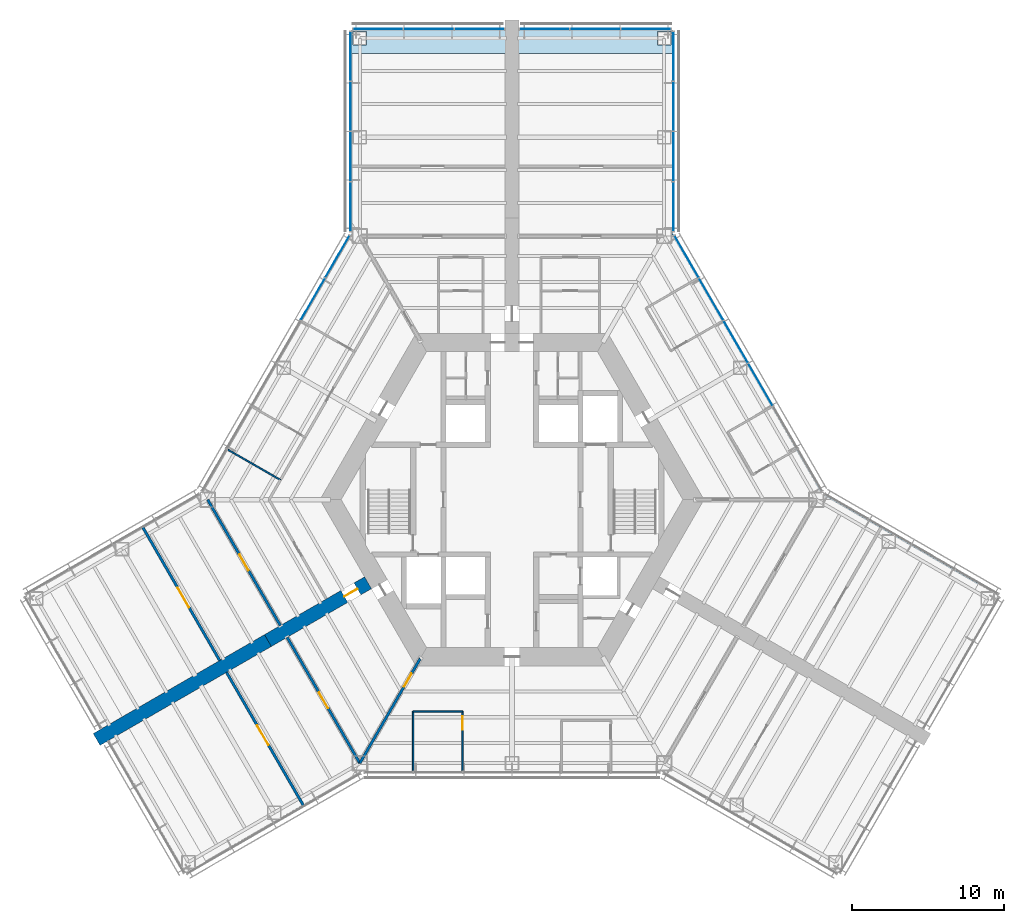
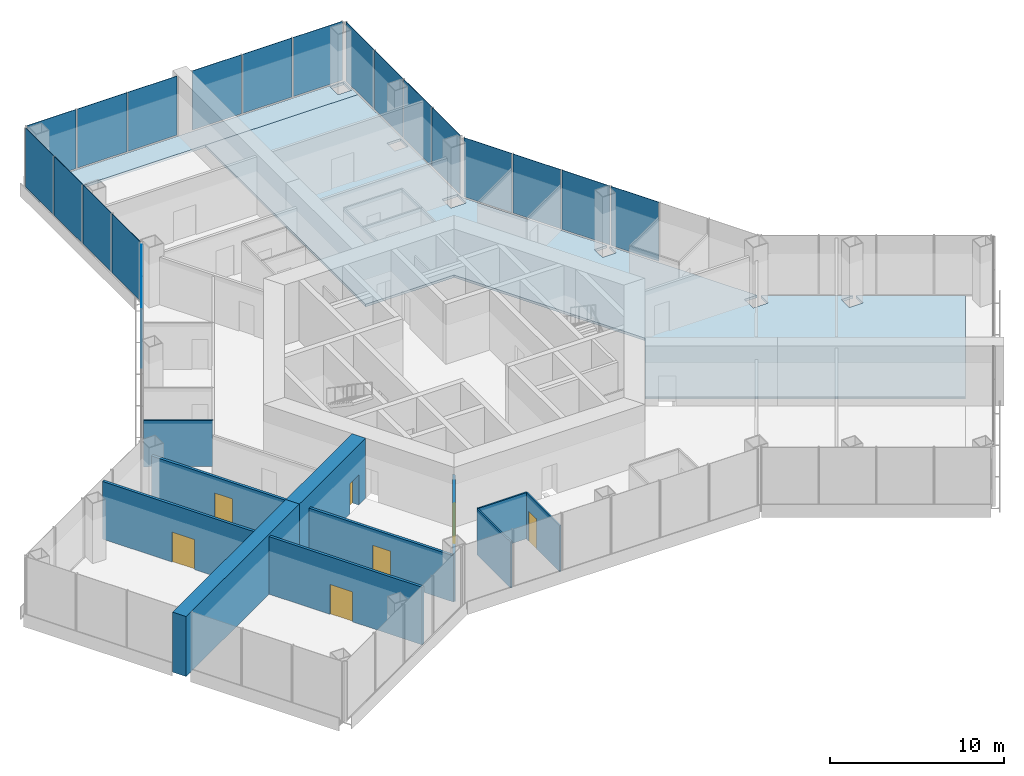
# One storey, part 10 of 17: 20 plates, 11 walls, 7 doors, 2 slabs, 7 openings, 6 elements without a shape of their own.
"""IFC4 building model written with IfcOpenShell, lengths in metres."""

from ifc_helpers import new_model, si_unit, direction, frame, frame_2d, origin, origin_2d, place, context, subcontext, project, spatial, polyline, rectangle, outline, extrude, material, layer, layer_set, type_object, element, fill, aggregate, save


model = new_model("IFC4")

# Units and contexts
model_context = context("Model", 3, precision=1e-05, world=origin(), true_north=direction((0.0, 1.0)))
body_context = subcontext(model_context, "Body", "Model", "MODEL_VIEW")
ifc_project = project(units=[si_unit("LENGTHUNIT", "METRE"), si_unit("AREAUNIT", "SQUARE_METRE"), si_unit("VOLUMEUNIT", "CUBIC_METRE"), si_unit("PLANEANGLEUNIT", "RADIAN"), si_unit("MASSUNIT", "GRAM", prefix="KILO")], contexts=[model_context])

# Site, building, storey
site_placement = place(None, origin())
site = spatial("IfcSite", under=ifc_project, at=site_placement, CompositionType="ELEMENT")
building_placement = place(site_placement, origin())
building = spatial("IfcBuilding", under=site, at=building_placement, Name="Kasaneha Research Tower", CompositionType="ELEMENT")
storey_placement = place(building_placement, frame((0.0, 0.0, 43.60009765625)))
storey = spatial("IfcBuildingStorey", under=building, at=storey_placement, Name="L11", CompositionType="ELEMENT", Elevation=43.60009765625)

# Curtain wall, plates
ifc_material_1 = material(Name="Glass and aluminium", Category="aluminium")
curtain_wall_type = type_object("IfcCurtainWallType", Name="Dry laboratory curtain wall", PredefinedType="USERDEFINED", material=ifc_material_1)
curtain_wall_1_placement = place(storey_placement, origin())
curtain_wall_1 = element("IfcCurtainWall", 1, at=curtain_wall_1_placement, inside=storey, type_object=curtain_wall_type, Name="CW-L2 L11 run 07a", ObjectType="UNITISED CURTAIN WALL", PredefinedType="USERDEFINED")
ifc_material_2 = material(Name="Laminated double glazing", Category="glass")
ifc_layer_1 = layer(ifc_material_2, 0.028076171875)
ifc_layer_set_1 = layer_set([ifc_layer_1], Name="CW-L2 glazed panel")
plate_type = type_object("IfcPlateType", Name="CW-L2 glazed panel", PredefinedType="CURTAIN_PANEL", material=ifc_layer_set_1)
plate_1_placement = place(storey_placement, frame((16.331298828125, 7.554443359375, 0.06494140625), z_axis=(0.0, 0.0, 1.0), x_axis=(-0.49999996188, 0.866025425793, 0.0)))
plate_1 = element("IfcPlate", 2, at=plate_1_placement, type_object=plate_type, Name="CW-L2 panel 3", PredefinedType="CURTAIN_PANEL", context=body_context, shape_type="SweptSolid", body=[
    extrude(rectangle(XDim=3.181396484375, YDim=0.028076171875, at=origin_2d()), origin(), (0.0, 0.0, 1.0), 4.135009765625),
])
plate_2_placement = place(storey_placement, frame((14.7080078125, 10.365966796875, 0.06494140625), z_axis=(0.0, 0.0, 1.0), x_axis=(-0.49999996188, 0.866025425793, 0.0)))
plate_2 = element("IfcPlate", 3, at=plate_2_placement, type_object=plate_type, Name="CW-L2 panel 4", PredefinedType="CURTAIN_PANEL", context=body_context, shape_type="SweptSolid", body=[
    extrude(rectangle(XDim=3.181396484375, YDim=0.028076171875, at=origin_2d()), origin(), (0.0, 0.0, 1.0), 4.135009765625),
])
plate_3_placement = place(storey_placement, frame((13.084716796875, 13.177490234375, 0.06494140625), z_axis=(0.0, 0.0, 1.0), x_axis=(-0.49999996188, 0.866025425793, 0.0)))
plate_3 = element("IfcPlate", 4, at=plate_3_placement, type_object=plate_type, Name="CW-L2 panel 5", PredefinedType="CURTAIN_PANEL", context=body_context, shape_type="SweptSolid", body=[
    extrude(rectangle(XDim=3.181396484375, YDim=0.028076171875, at=origin_2d()), origin(), (0.0, 0.0, 1.0), 4.135009765625),
])
plate_4_placement = place(storey_placement, frame((11.4697265625, 15.974853515625, 0.06494140625), z_axis=(0.0, 0.0, 1.0), x_axis=(-0.49999996188, 0.866025425793, 0.0)))
plate_4 = element("IfcPlate", 5, at=plate_4_placement, type_object=plate_type, Name="CW-L2 panel 6", PredefinedType="CURTAIN_PANEL", context=body_context, shape_type="SweptSolid", body=[
    extrude(rectangle(XDim=3.14892578125, YDim=0.028076171875, at=origin_2d()), origin(), (0.0, 0.0, 1.0), 4.135009765625),
])
aggregate(curtain_wall_1, [plate_1, plate_2, plate_3, plate_4])

curtain_wall_2_placement = place(storey_placement, origin())
curtain_wall_2 = element("IfcCurtainWall", 6, at=curtain_wall_2_placement, inside=storey, type_object=curtain_wall_type, Name="CW-L2 L11 run 08a", ObjectType="UNITISED CURTAIN WALL", PredefinedType="USERDEFINED")
plate_5_placement = place(storey_placement, frame((10.60009765625, 19.25244140625, 0.06494140625), z_axis=(0.0, 0.0, 1.0), x_axis=(0.0, 1.0, 0.0)))
plate_5 = element("IfcPlate", 7, at=plate_5_placement, type_object=plate_type, Name="CW-L2 panel 1", PredefinedType="CURTAIN_PANEL", context=body_context, shape_type="SweptSolid", body=[
    extrude(rectangle(XDim=3.21240234375, YDim=0.028076171875, at=origin_2d()), origin(), (0.0, 0.0, 1.0), 4.135009765625),
])
plate_6_placement = place(storey_placement, frame((10.60009765625, 22.5458984375, 0.06494140625), z_axis=(0.0, 0.0, 1.0), x_axis=(0.0, 1.0, 0.0)))
plate_6 = element("IfcPlate", 8, at=plate_6_placement, type_object=plate_type, Name="CW-L2 panel 2", PredefinedType="CURTAIN_PANEL", context=body_context, shape_type="SweptSolid", body=[
    extrude(rectangle(XDim=3.244873046875, YDim=0.028076171875, at=origin_2d()), origin(), (0.0, 0.0, 1.0), 4.135009765625),
])
plate_7_placement = place(storey_placement, frame((10.60009765625, 25.855712890625, 0.06494140625), z_axis=(0.0, 0.0, 1.0), x_axis=(0.0, 1.0, 0.0)))
plate_7 = element("IfcPlate", 9, at=plate_7_placement, type_object=plate_type, Name="CW-L2 panel 3", PredefinedType="CURTAIN_PANEL", context=body_context, shape_type="SweptSolid", body=[
    extrude(rectangle(XDim=3.244873046875, YDim=0.028076171875, at=origin_2d()), origin(), (0.0, 0.0, 1.0), 4.135009765625),
])
plate_8_placement = place(storey_placement, frame((10.60009765625, 29.1494140625, 0.06494140625), z_axis=(0.0, 0.0, 1.0), x_axis=(0.0, 1.0, 0.0)))
plate_8 = element("IfcPlate", 10, at=plate_8_placement, type_object=plate_type, Name="CW-L2 panel 4", PredefinedType="CURTAIN_PANEL", context=body_context, shape_type="SweptSolid", body=[
    extrude(rectangle(XDim=3.21240234375, YDim=0.028076171875, at=origin_2d()), origin(), (0.0, 0.0, 1.0), 4.135009765625),
])
aggregate(curtain_wall_2, [plate_5, plate_6, plate_7, plate_8])

curtain_wall_3_placement = place(storey_placement, origin())
curtain_wall_3 = element("IfcCurtainWall", 11, at=curtain_wall_3_placement, inside=storey, type_object=curtain_wall_type, Name="CW-L2 L11 run 09a", ObjectType="UNITISED CURTAIN WALL", PredefinedType="USERDEFINED")
plate_9_placement = place(storey_placement, frame((8.808837890625, 30.92041015625, 0.06494140625), z_axis=(0.0, 0.0, 1.0), x_axis=(-1.0, 0.0, 0.0)))
plate_9 = element("IfcPlate", 12, at=plate_9_placement, type_object=plate_type, Name="CW-L2 panel 1", PredefinedType="CURTAIN_PANEL", context=body_context, shape_type="SweptSolid", body=[
    extrude(rectangle(XDim=3.25244140625, YDim=0.028076171875, at=origin_2d()), origin(), (0.0, 0.0, 1.0), 4.135009765625),
])
plate_10_placement = place(storey_placement, frame((5.47509765625, 30.92041015625, 0.06494140625), z_axis=(0.0, 0.0, 1.0), x_axis=(-1.0, 0.0, 0.0)))
plate_10 = element("IfcPlate", 13, at=plate_10_placement, type_object=plate_type, Name="CW-L2 panel 2", PredefinedType="CURTAIN_PANEL", context=body_context, shape_type="SweptSolid", body=[
    extrude(rectangle(XDim=3.284912109375, YDim=0.028076171875, at=origin_2d()), origin(), (0.0, 0.0, 1.0), 4.135009765625),
])
plate_11_placement = place(storey_placement, frame((2.141357421875, 30.92041015625, 0.06494140625), z_axis=(0.0, 0.0, 1.0), x_axis=(-1.0, 0.0, 0.0)))
plate_11 = element("IfcPlate", 14, at=plate_11_placement, type_object=plate_type, Name="CW-L2 panel 3", PredefinedType="CURTAIN_PANEL", context=body_context, shape_type="SweptSolid", body=[
    extrude(rectangle(XDim=3.25244140625, YDim=0.028076171875, at=origin_2d()), origin(), (0.0, 0.0, 1.0), 4.135009765625),
])
aggregate(curtain_wall_3, [plate_9, plate_10, plate_11])

curtain_wall_4_placement = place(storey_placement, origin())
curtain_wall_4 = element("IfcCurtainWall", 15, at=curtain_wall_4_placement, inside=storey, type_object=curtain_wall_type, Name="CW-L2 L11 run 10a", ObjectType="UNITISED CURTAIN WALL", PredefinedType="USERDEFINED")
plate_12_placement = place(storey_placement, frame((-2.141357421875, 30.92041015625, 0.06494140625), z_axis=(0.0, 0.0, 1.0), x_axis=(-1.0, 0.0, 0.0)))
plate_12 = element("IfcPlate", 16, at=plate_12_placement, type_object=plate_type, Name="CW-L2 panel 1", PredefinedType="CURTAIN_PANEL", context=body_context, shape_type="SweptSolid", body=[
    extrude(rectangle(XDim=3.25244140625, YDim=0.028076171875, at=origin_2d()), origin(), (0.0, 0.0, 1.0), 4.135009765625),
])
plate_13_placement = place(storey_placement, frame((-5.47509765625, 30.92041015625, 0.06494140625), z_axis=(0.0, 0.0, 1.0), x_axis=(-1.0, 0.0, 0.0)))
plate_13 = element("IfcPlate", 17, at=plate_13_placement, type_object=plate_type, Name="CW-L2 panel 2", PredefinedType="CURTAIN_PANEL", context=body_context, shape_type="SweptSolid", body=[
    extrude(rectangle(XDim=3.284912109375, YDim=0.028076171875, at=origin_2d()), origin(), (0.0, 0.0, 1.0), 4.135009765625),
])
plate_14_placement = place(storey_placement, frame((-8.808837890625, 30.92041015625, 0.06494140625), z_axis=(0.0, 0.0, 1.0), x_axis=(-1.0, 0.0, 0.0)))
plate_14 = element("IfcPlate", 18, at=plate_14_placement, type_object=plate_type, Name="CW-L2 panel 3", PredefinedType="CURTAIN_PANEL", context=body_context, shape_type="SweptSolid", body=[
    extrude(rectangle(XDim=3.25244140625, YDim=0.028076171875, at=origin_2d()), origin(), (0.0, 0.0, 1.0), 4.135009765625),
])
aggregate(curtain_wall_4, [plate_12, plate_13, plate_14])

curtain_wall_5_placement = place(storey_placement, origin())
curtain_wall_5 = element("IfcCurtainWall", 19, at=curtain_wall_5_placement, inside=storey, type_object=curtain_wall_type, Name="CW-L2 L11 run 11a", ObjectType="UNITISED CURTAIN WALL", PredefinedType="USERDEFINED")
plate_15_placement = place(storey_placement, frame((-10.60009765625, 29.1494140625, 0.06494140625), z_axis=(0.0, 0.0, 1.0), x_axis=(0.0, -1.0, 0.0)))
plate_15 = element("IfcPlate", 20, at=plate_15_placement, type_object=plate_type, Name="CW-L2 panel 1", PredefinedType="CURTAIN_PANEL", context=body_context, shape_type="SweptSolid", body=[
    extrude(rectangle(XDim=3.21240234375, YDim=0.028076171875, at=origin_2d()), origin(), (0.0, 0.0, 1.0), 4.135009765625),
])
plate_16_placement = place(storey_placement, frame((-10.60009765625, 25.855712890625, 0.06494140625), z_axis=(0.0, 0.0, 1.0), x_axis=(0.0, -1.0, 0.0)))
plate_16 = element("IfcPlate", 21, at=plate_16_placement, type_object=plate_type, Name="CW-L2 panel 2", PredefinedType="CURTAIN_PANEL", context=body_context, shape_type="SweptSolid", body=[
    extrude(rectangle(XDim=3.244873046875, YDim=0.028076171875, at=origin_2d()), origin(), (0.0, 0.0, 1.0), 4.135009765625),
])
plate_17_placement = place(storey_placement, frame((-10.60009765625, 22.5458984375, 0.06494140625), z_axis=(0.0, 0.0, 1.0), x_axis=(0.0, -1.0, 0.0)))
plate_17 = element("IfcPlate", 22, at=plate_17_placement, type_object=plate_type, Name="CW-L2 panel 3", PredefinedType="CURTAIN_PANEL", context=body_context, shape_type="SweptSolid", body=[
    extrude(rectangle(XDim=3.244873046875, YDim=0.028076171875, at=origin_2d()), origin(), (0.0, 0.0, 1.0), 4.135009765625),
])
plate_18_placement = place(storey_placement, frame((-10.60009765625, 19.25244140625, 0.06494140625), z_axis=(0.0, 0.0, 1.0), x_axis=(0.0, -1.0, 0.0)))
plate_18 = element("IfcPlate", 23, at=plate_18_placement, type_object=plate_type, Name="CW-L2 panel 4", PredefinedType="CURTAIN_PANEL", context=body_context, shape_type="SweptSolid", body=[
    extrude(rectangle(XDim=3.21240234375, YDim=0.028076171875, at=origin_2d()), origin(), (0.0, 0.0, 1.0), 4.135009765625),
])
aggregate(curtain_wall_5, [plate_15, plate_16, plate_17, plate_18])

curtain_wall_6_placement = place(storey_placement, origin())
curtain_wall_6 = element("IfcCurtainWall", 24, at=curtain_wall_6_placement, inside=storey, type_object=curtain_wall_type, Name="CW-L2 L11 run 12a", ObjectType="UNITISED CURTAIN WALL", PredefinedType="USERDEFINED")
plate_19_placement = place(storey_placement, frame((-11.4697265625, 15.974853515625, 0.06494140625), z_axis=(0.0, 0.0, 1.0), x_axis=(-0.49999996188, -0.866025425793, 0.0)))
plate_19 = element("IfcPlate", 25, at=plate_19_placement, type_object=plate_type, Name="CW-L2 panel 1", PredefinedType="CURTAIN_PANEL", context=body_context, shape_type="SweptSolid", body=[
    extrude(rectangle(XDim=3.14892578125, YDim=0.028076171875, at=origin_2d()), origin(), (0.0, 0.0, 1.0), 4.135009765625),
])
plate_20_placement = place(storey_placement, frame((-13.084716796875, 13.177490234375, 0.06494140625), z_axis=(0.0, 0.0, 1.0), x_axis=(-0.49999996188, -0.866025425793, 0.0)))
plate_20 = element("IfcPlate", 26, at=plate_20_placement, type_object=plate_type, Name="CW-L2 panel 2", PredefinedType="CURTAIN_PANEL", context=body_context, shape_type="SweptSolid", body=[
    extrude(rectangle(XDim=3.181396484375, YDim=0.028076171875, at=origin_2d()), origin(), (0.0, 0.0, 1.0), 4.135009765625),
])
aggregate(curtain_wall_6, [plate_19, plate_20])

# Slabs
ifc_material_3 = material(Name="Concrete Fc24", Category="concrete")
ifc_layer_2 = layer(ifc_material_3, 0.169921875)
ifc_layer_set_2 = layer_set([ifc_layer_2], Name="Floor slab 170")
slab_type = type_object("IfcSlabType", Name="Floor slab 170", PredefinedType="FLOOR", material=ifc_layer_set_2)
slab_1_placement = place(storey_placement, frame((0.0, 0.0, -0.170166015625)))
element("IfcSlab", 27, at=slab_1_placement, inside=storey, type_object=slab_type, Name="Floor slab L11 3", PredefinedType="FLOOR", context=body_context, shape_type="SweptSolid", body=[
    extrude(outline(polyline([(10.550048828125, 29.310546875), (0.449951171875, 29.310546875), (0.449951171875, 29.320556640625), (-0.449951171875, 29.320556640625), (-0.449951171875, 29.310546875), (-10.550048828125, 29.310546875), (-10.550048828125, 30.87060546875), (10.550048828125, 30.87060546875), (10.550048828125, 29.310546875)]), holes=[polyline([(-9.550048828125, 29.87060546875), (-9.550048828125, 30.7705078125), (-10.449951171875, 30.7705078125), (-10.449951171875, 29.87060546875), (-9.550048828125, 29.87060546875)]), polyline([(9.550048828125, 29.87060546875), (10.449951171875, 29.87060546875), (10.449951171875, 30.7705078125), (9.550048828125, 30.7705078125), (9.550048828125, 29.87060546875)])]), origin(), (0.0, 0.0, 1.0), 0.170166015625),
])
slab_2_placement = place(storey_placement, frame((0.0, 0.0, -0.170166015625)))
element("IfcSlab", 28, at=slab_2_placement, inside=storey, type_object=slab_type, Name="Floor slab L11 5", PredefinedType="FLOOR", context=body_context, shape_type="SweptSolid", body=[
    extrude(outline(polyline([(9.686279296875, -5.07275390625), (12.614990234375, 0.0), (6.3076171875, 10.925048828125), (0.449951171875, 10.925048828125), (0.449951171875, 29.310546875), (10.550048828125, 29.310546875), (10.550048828125, 17.4677734375), (15.375244140625, 9.1103515625), (14.550048828125, 9.1103515625), (14.550048828125, 8.210205078125), (15.449951171875, 8.210205078125), (15.449951171875, 8.980712890625), (20.346435546875, 0.5), (19.5, 0.5), (19.5, -0.5), (20.5, -0.5), (20.5, 0.346435546875), (25.083740234375, -2.300048828125), (24.313232421875, -2.300048828125), (24.313232421875, -3.199951171875), (25.213134765625, -3.199951171875), (25.213134765625, -2.374755859375), (30.65869140625, -5.518798828125), (25.608642578125, -14.265625), (9.686279296875, -5.07275390625)]), holes=[polyline([(9.5, 16.820556640625), (10.5, 16.820556640625), (10.5, 17.820556640625), (9.5, 17.820556640625), (9.5, 16.820556640625)]), polyline([(9.550048828125, 23.37060546875), (10.449951171875, 23.37060546875), (10.449951171875, 24.2705078125), (9.550048828125, 24.2705078125), (9.550048828125, 23.37060546875)])]), origin(), (0.0, 0.0, 1.0), 0.170166015625),
])

# Wall, opening, door
ifc_material_4 = material(Name="Gypsum board on steel studs, two layers each side", Category="steel")
ifc_layer_3 = layer(ifc_material_4, 0.175048828125)
ifc_layer_set_3 = layer_set([ifc_layer_3], Name="Laboratory fire partition 175")
wall_type_1 = type_object("IfcWallType", Name="Laboratory fire partition 175", PredefinedType="PARTITIONING", material=ifc_layer_set_3)
wall_1_placement = place(storey_placement, frame((-15.22509765625, -8.2705078125, 0.0), z_axis=(0.0, 0.0, 1.0), x_axis=(-0.499993908199, 0.866028920859, 0.0)))
wall_1 = element("IfcWall", 29, at=wall_1_placement, inside=storey, type_object=wall_type_1, Name="Laboratory fire partition LABB-N L11", PredefinedType="PARTITIONING", context=body_context, shape_type="SweptSolid", body=[
    extrude(rectangle(XDim=9.5498046875, YDim=0.175048828125, at=frame_2d((4.77490234375, 0.0))), origin(), (0.0, 0.0, 1.0), 3.23779296875),
])
opening_1_placement = place(wall_1_placement, frame((4.175048828125, 0.0, 0.0)))
opening_1 = element("IfcOpeningElement", 30, at=opening_1_placement, cuts=wall_1, Name="Opening L11-D38", PredefinedType="OPENING", context=body_context, shape_type="SweptSolid", body=[
    extrude(rectangle(XDim=1.199951171875, YDim=2.10009765625, at=frame_2d((0.60009765625, 1.050048828125))), frame((0.0, 0.09765625, 0.0), z_axis=(0.0, -1.0, 0.0), x_axis=(1.0, 0.0, 0.0)), (0.0, 0.0, 1.0), 0.195068359375),
])
ifc_material_5 = material(Name="Steel", Category="steel")
door_type_1 = type_object("IfcDoorType", Name="Laboratory door FD60 1200x2100", OperationType="DOUBLE_DOOR_SINGLE_SWING", PredefinedType="DOOR", material=ifc_material_5)
door_1_placement = place(opening_1_placement, origin())
door_1 = element("IfcDoor", 31, at=door_1_placement, inside=storey, type_object=door_type_1, Name="Laboratory door L11-D38", OperationType="DOUBLE_DOOR_SINGLE_SWING", OverallHeight=2.10009765625, OverallWidth=1.199951171875, PredefinedType="DOOR", context=body_context, shape_type="SweptSolid", body=[
    extrude(rectangle(XDim=1.199951171875, YDim=2.10009765625, at=frame_2d((0.60009765625, 1.050048828125))), frame((0.0, 0.02490234375, 0.0), z_axis=(0.0, -1.0, 0.0), x_axis=(1.0, 0.0, 0.0)), (0.0, 0.0, 1.0), 0.050048828125),
])
fill(opening_1, door_1)

wall_2_placement = place(storey_placement, frame((-19.208740234375, -10.570556640625, 0.0), z_axis=(0.0, 0.0, 1.0), x_axis=(-0.500005203629, 0.866022399447, 0.0)))
wall_2 = element("IfcWall", 32, at=wall_2_placement, inside=storey, type_object=wall_type_1, Name="Laboratory fire partition INSB-N L11", PredefinedType="PARTITIONING", context=body_context, shape_type="SweptSolid", body=[
    extrude(rectangle(XDim=10.14013671875, YDim=0.175048828125, at=frame_2d((5.070068359375, 0.0))), origin(), (0.0, 0.0, 1.0), 4.02978515625),
])
opening_2_placement = place(wall_2_placement, frame((4.02490234375, 0.0, 0.0)))
opening_2 = element("IfcOpeningElement", 33, at=opening_2_placement, cuts=wall_2, Name="Opening L11-D43", PredefinedType="OPENING", context=body_context, shape_type="SweptSolid", body=[
    extrude(rectangle(XDim=1.5, YDim=2.10009765625, at=frame_2d((0.75, 1.050048828125))), frame((0.0, 0.09765625, 0.0), z_axis=(0.0, -1.0, 0.0), x_axis=(1.0, 0.0, 0.0)), (0.0, 0.0, 1.0), 0.195068359375),
])
ifc_material_6 = material(Name="Steel", Category="steel")
door_type_2 = type_object("IfcDoorType", Name="Laboratory door FD60 1500x2100", OperationType="DOUBLE_DOOR_SINGLE_SWING", PredefinedType="DOOR", material=ifc_material_6)
door_2_placement = place(opening_2_placement, origin())
door_2 = element("IfcDoor", 34, at=door_2_placement, inside=storey, type_object=door_type_2, Name="Instrument room door L11-D43", OperationType="DOUBLE_DOOR_SINGLE_SWING", OverallHeight=2.10009765625, OverallWidth=1.5, PredefinedType="DOOR", context=body_context, shape_type="SweptSolid", body=[
    extrude(rectangle(XDim=1.5, YDim=2.10009765625, at=frame_2d((0.75, 1.050048828125))), frame((0.0, 0.02490234375, 0.0), z_axis=(0.0, -1.0, 0.0), x_axis=(1.0, 0.0, 0.0)), (0.0, 0.0, 1.0), 0.050048828125),
])
fill(opening_2, door_2)

wall_3_placement = place(storey_placement, frame((-14.77490234375, -9.050048828125, 0.0), z_axis=(0.0, 0.0, 1.0), x_axis=(0.499993908199, -0.866028920859, 0.0)))
wall_3 = element("IfcWall", 35, at=wall_3_placement, inside=storey, type_object=wall_type_1, Name="Laboratory fire partition LABB-S L11", PredefinedType="PARTITIONING", context=body_context, shape_type="SweptSolid", body=[
    extrude(rectangle(XDim=9.5498046875, YDim=0.175048828125, at=frame_2d((4.77490234375, 0.0))), origin(), (0.0, 0.0, 1.0), 3.23779296875),
])
opening_3_placement = place(wall_3_placement, frame((4.175048828125, 0.0, 0.0)))
opening_3 = element("IfcOpeningElement", 36, at=opening_3_placement, cuts=wall_3, Name="Opening L11-D44", PredefinedType="OPENING", context=body_context, shape_type="SweptSolid", body=[
    extrude(rectangle(XDim=1.199951171875, YDim=2.10009765625, at=frame_2d((0.60009765625, 1.050048828125))), frame((0.0, 0.09765625, 0.0), z_axis=(0.0, -1.0, 0.0), x_axis=(1.0, 0.0, 0.0)), (0.0, 0.0, 1.0), 0.195068359375),
])
door_3_placement = place(opening_3_placement, origin())
door_3 = element("IfcDoor", 37, at=door_3_placement, inside=storey, type_object=door_type_1, Name="Laboratory door L11-D44", OperationType="DOUBLE_DOOR_SINGLE_SWING", OverallHeight=2.10009765625, OverallWidth=1.199951171875, PredefinedType="DOOR", context=body_context, shape_type="SweptSolid", body=[
    extrude(rectangle(XDim=1.199951171875, YDim=2.10009765625, at=frame_2d((0.60009765625, 1.050048828125))), frame((0.0, 0.02490234375, 0.0), z_axis=(0.0, -1.0, 0.0), x_axis=(1.0, 0.0, 0.0)), (0.0, 0.0, 1.0), 0.050048828125),
])
fill(opening_3, door_3)

wall_4_placement = place(storey_placement, frame((-18.7587890625, -11.349853515625, 0.0), z_axis=(0.0, 0.0, 1.0), x_axis=(0.500005203629, -0.866022399447, 0.0)))
wall_4 = element("IfcWall", 38, at=wall_4_placement, inside=storey, type_object=wall_type_1, Name="Laboratory fire partition INSB-S L11", PredefinedType="PARTITIONING", context=body_context, shape_type="SweptSolid", body=[
    extrude(rectangle(XDim=10.14013671875, YDim=0.175048828125, at=frame_2d((5.070068359375, 0.0))), origin(), (0.0, 0.0, 1.0), 4.02978515625),
])
opening_4_placement = place(wall_4_placement, frame((4.02490234375, 0.0, 0.0)))
opening_4 = element("IfcOpeningElement", 39, at=opening_4_placement, cuts=wall_4, Name="Opening L11-D45", PredefinedType="OPENING", context=body_context, shape_type="SweptSolid", body=[
    extrude(rectangle(XDim=1.5, YDim=2.10009765625, at=frame_2d((0.75, 1.050048828125))), frame((0.0, 0.09765625, 0.0), z_axis=(0.0, -1.0, 0.0), x_axis=(1.0, 0.0, 0.0)), (0.0, 0.0, 1.0), 0.195068359375),
])
door_4_placement = place(opening_4_placement, origin())
door_4 = element("IfcDoor", 40, at=door_4_placement, inside=storey, type_object=door_type_2, Name="Instrument room door L11-D45", OperationType="DOUBLE_DOOR_SINGLE_SWING", OverallHeight=2.10009765625, OverallWidth=1.5, PredefinedType="DOOR", context=body_context, shape_type="SweptSolid", body=[
    extrude(rectangle(XDim=1.5, YDim=2.10009765625, at=frame_2d((0.75, 1.050048828125))), frame((0.0, 0.02490234375, 0.0), z_axis=(0.0, -1.0, 0.0), x_axis=(1.0, 0.0, 0.0)), (0.0, 0.0, 1.0), 0.050048828125),
])
fill(opening_4, door_4)

# Walls
ifc_material_7 = material(Name="Gypsum board on steel studs, one layer each side", Category="steel")
ifc_layer_4 = layer(ifc_material_7, 0.10009765625)
ifc_layer_set_4 = layer_set([ifc_layer_4], Name="Office partition 100")
wall_type_2 = type_object("IfcWallType", Name="Office partition 100", PredefinedType="PARTITIONING", material=ifc_layer_set_4)
wall_5_placement = place(storey_placement, frame((-15.217041015625, 1.29345703125, 0.0), z_axis=(0.0, 0.0, 1.0), x_axis=(-0.866583023507, 0.499032928142, 0.0)))
element("IfcWall", 41, at=wall_5_placement, inside=storey, type_object=wall_type_2, Name="Office partition FBN07 L11", PredefinedType="PARTITIONING", context=body_context, shape_type="SweptSolid", body=[
    extrude(rectangle(XDim=3.975341796875, YDim=0.10009765625, at=frame_2d((1.98779296875, 0.0))), origin(), (0.0, 0.0, 1.0), 3.22998046875),
])
wall_6_placement = place(storey_placement, frame((-6.492919921875, -17.800537109375, 0.0), z_axis=(0.0, 0.0, 1.0), x_axis=(0.0, 1.0, 0.0)))
element("IfcWall", 42, at=wall_6_placement, inside=storey, type_object=wall_type_2, Name="Office partition FCS01 L11", PredefinedType="PARTITIONING", context=body_context, shape_type="SweptSolid", body=[
    extrude(rectangle(XDim=3.880126953125, YDim=0.10009765625, at=frame_2d((1.93994140625, 0.0))), origin(), (0.0, 0.0, 1.0), 3.22998046875),
])
wall_7_placement = place(storey_placement, frame((-6.492919921875, -13.92041015625, 0.0), z_axis=(0.0, 0.0, 1.0), x_axis=(1.0, 0.0, 0.0)))
element("IfcWall", 43, at=wall_7_placement, inside=storey, type_object=wall_type_2, Name="Office partition FCS02 L11", PredefinedType="PARTITIONING", context=body_context, shape_type="SweptSolid", body=[
    extrude(rectangle(XDim=3.24658203125, YDim=0.10009765625, at=frame_2d((1.623291015625, 0.0))), origin(), (0.0, 0.0, 1.0), 3.22998046875),
])

# Wall, opening, door
wall_8_placement = place(storey_placement, frame((-3.246337890625, -13.92041015625, 0.0), z_axis=(0.0, 0.0, 1.0), x_axis=(0.0, -1.0, 0.0)))
wall_8 = element("IfcWall", 44, at=wall_8_placement, inside=storey, type_object=wall_type_2, Name="Office partition FCS03 L11", PredefinedType="PARTITIONING", context=body_context, shape_type="SweptSolid", body=[
    extrude(rectangle(XDim=3.880126953125, YDim=0.10009765625, at=frame_2d((1.93994140625, 0.0))), origin(), (0.0, 0.0, 1.0), 3.22998046875),
])
opening_5_placement = place(wall_8_placement, frame((0.300048828125, 0.0, 0.0)))
opening_5 = element("IfcOpeningElement", 45, at=opening_5_placement, cuts=wall_8, Name="Opening L11-D49", PredefinedType="OPENING", context=body_context, shape_type="SweptSolid", body=[
    extrude(rectangle(XDim=0.89990234375, YDim=2.10009765625, at=frame_2d((0.449951171875, 1.050048828125))), frame((0.0, 0.06005859375, 0.0), z_axis=(0.0, -1.0, 0.0), x_axis=(1.0, 0.0, 0.0)), (0.0, 0.0, 1.0), 0.1201171875),
])
ifc_material_8 = material(Name="Timber veneer", Category="wood")
door_type_3 = type_object("IfcDoorType", Name="Office door 900x2100", OperationType="SINGLE_SWING_LEFT", PredefinedType="DOOR", material=ifc_material_8)
door_5_placement = place(opening_5_placement, origin())
door_5 = element("IfcDoor", 46, at=door_5_placement, inside=storey, type_object=door_type_3, Name="Microscopy room door L11-D49", OperationType="SINGLE_SWING_LEFT", OverallHeight=2.10009765625, OverallWidth=0.89990234375, PredefinedType="DOOR", context=body_context, shape_type="SweptSolid", body=[
    extrude(rectangle(XDim=0.89990234375, YDim=2.10009765625, at=frame_2d((0.449951171875, 1.050048828125))), frame((0.0, 0.02490234375, 0.0), z_axis=(0.0, -1.0, 0.0), x_axis=(1.0, 0.0, 0.0)), (0.0, 0.0, 1.0), 0.050048828125),
])
fill(opening_5, door_5)

ifc_material_9 = material(Name="Concrete Fc100", Category="concrete")
ifc_layer_5 = layer(ifc_material_9, 0.89990234375)
ifc_layer_set_5 = layer_set([ifc_layer_5], Name="Spine wall 900 Fc100")
wall_type_3 = type_object("IfcWallType", Name="Spine wall 900 Fc100", PredefinedType="SHEAR", material=ifc_layer_set_5)
wall_9_placement = place(storey_placement, frame((-9.46142578125, -5.46240234375, 0.0), z_axis=(0.0, 0.0, 1.0), x_axis=(-0.866019116917, -0.500010889016, 0.0)))
wall_9 = element("IfcWall", 47, at=wall_9_placement, inside=storey, type_object=wall_type_3, Name="Spine wall B L11", PredefinedType="SHEAR", context=body_context, shape_type="SweptSolid", body=[
    extrude(rectangle(XDim=7.595458984375, YDim=0.89990234375, at=frame_2d((3.7978515625, 0.0))), origin(), (0.0, 0.0, 1.0), 4.199951171875),
])
opening_6_placement = place(wall_9_placement, frame((0.800048828125, 0.0, 0.0)))
opening_6 = element("IfcOpeningElement", 48, at=opening_6_placement, cuts=wall_9, Name="Opening L11-D18", PredefinedType="OPENING", context=body_context, shape_type="SweptSolid", body=[
    extrude(rectangle(XDim=1.0, YDim=2.10009765625, at=frame_2d((0.5, 1.050048828125))), frame((0.0, 0.4599609375, 0.0), z_axis=(0.0, -1.0, 0.0), x_axis=(1.0, 0.0, 0.0)), (0.0, 0.0, 1.0), 0.919921875),
])
ifc_material_10 = material(Name="Steel", Category="steel")
door_type_4 = type_object("IfcDoorType", Name="Specified fire door FD60 1000x2100", OperationType="NOTDEFINED", PredefinedType="DOOR", material=ifc_material_10)
door_6_placement = place(opening_6_placement, origin())
door_6 = element("IfcDoor", 49, at=door_6_placement, inside=storey, type_object=door_type_4, Name="Spine doorway B L11-D18", OperationType="SINGLE_SWING_LEFT", OverallHeight=2.10009765625, OverallWidth=1.0, PredefinedType="DOOR", context=body_context, shape_type="SweptSolid", body=[
    extrude(rectangle(XDim=1.0, YDim=2.10009765625, at=frame_2d((0.5, 1.050048828125))), frame((0.0, 0.02490234375, 0.0), z_axis=(0.0, -1.0, 0.0), x_axis=(1.0, 0.0, 0.0)), (0.0, 0.0, 1.0), 0.050048828125),
])
fill(opening_6, door_6)

# Wall
wall_10_placement = place(storey_placement, frame((-16.039306640625, -9.26025390625, 0.0), z_axis=(0.0, 0.0, 1.0), x_axis=(-0.866024837091, -0.50000098154, 0.0)))
element("IfcWall", 50, at=wall_10_placement, inside=storey, type_object=wall_type_3, Name="Spine wall B wing L11", PredefinedType="SHEAR", context=body_context, shape_type="SweptSolid", body=[
    extrude(rectangle(XDim=13.0, YDim=0.89990234375, at=frame_2d((6.5, 0.0))), origin(), (0.0, 0.0, 1.0), 4.199951171875),
])

# Wall, opening, door
ifc_material_11 = material(Name="Gypsum board on steel studs, two layers each side", Category="steel")
ifc_layer_6 = layer(ifc_material_11, 0.175048828125)
ifc_layer_set_6 = layer_set([ifc_layer_6], Name="Tenancy fire partition 175")
wall_type_4 = type_object("IfcWallType", Name="Tenancy fire partition 175", PredefinedType="PARTITIONING", material=ifc_layer_set_6)
wall_11_placement = place(storey_placement, frame((-6.03515625, -10.453125, 0.0), z_axis=(0.0, 0.0, 1.0), x_axis=(-0.499993402427, -0.866029212861, 0.0)))
wall_11 = element("IfcWall", 51, at=wall_11_placement, inside=storey, type_object=wall_type_4, Name="Tenancy fire partition T240 L11", PredefinedType="PARTITIONING", context=body_context, shape_type="SweptSolid", body=[
    extrude(outline(polyline([(-0.050537109375, -0.08740234375), (1.12939453125, -0.08740234375), (2.12939453125, -0.08740234375), (7.9296875, -0.08740234375), (7.9296875, 0.08740234375), (2.12939453125, 0.08740234375), (1.12939453125, 0.08740234375), (0.050537109375, 0.08740234375), (-0.050537109375, -0.08740234375)])), origin(), (0.0, 0.0, 1.0), 3.329833984375),
])
opening_7_placement = place(wall_11_placement, frame((1.12939453125, 0.0, 0.0)))
opening_7 = element("IfcOpeningElement", 52, at=opening_7_placement, cuts=wall_11, Name="Opening L11-D27", PredefinedType="OPENING", context=body_context, shape_type="SweptSolid", body=[
    extrude(rectangle(XDim=1.0, YDim=2.10009765625, at=frame_2d((0.5, 1.050048828125))), frame((0.0, 0.09765625, 0.0), z_axis=(0.0, -1.0, 0.0), x_axis=(1.0, 0.0, 0.0)), (0.0, 0.0, 1.0), 0.195068359375),
])
ifc_material_12 = material(Name="Steel", Category="steel")
door_type_5 = type_object("IfcDoorType", Name="Suite entrance door FD60 1000x2100", OperationType="NOTDEFINED", PredefinedType="DOOR", material=ifc_material_12)
door_7_placement = place(opening_7_placement, origin())
door_7 = element("IfcDoor", 53, at=door_7_placement, inside=storey, type_object=door_type_5, Name="Connecting door L11-D27", OperationType="SINGLE_SWING_LEFT", OverallHeight=2.10009765625, OverallWidth=1.0, PredefinedType="DOOR", context=body_context, shape_type="SweptSolid", body=[
    extrude(rectangle(XDim=1.0, YDim=2.10009765625, at=frame_2d((0.5, 1.050048828125))), frame((0.0, 0.02490234375, 0.0), z_axis=(0.0, -1.0, 0.0), x_axis=(1.0, 0.0, 0.0)), (0.0, 0.0, 1.0), 0.050048828125),
])
fill(opening_7, door_7)

save(model, "model.ifc")
